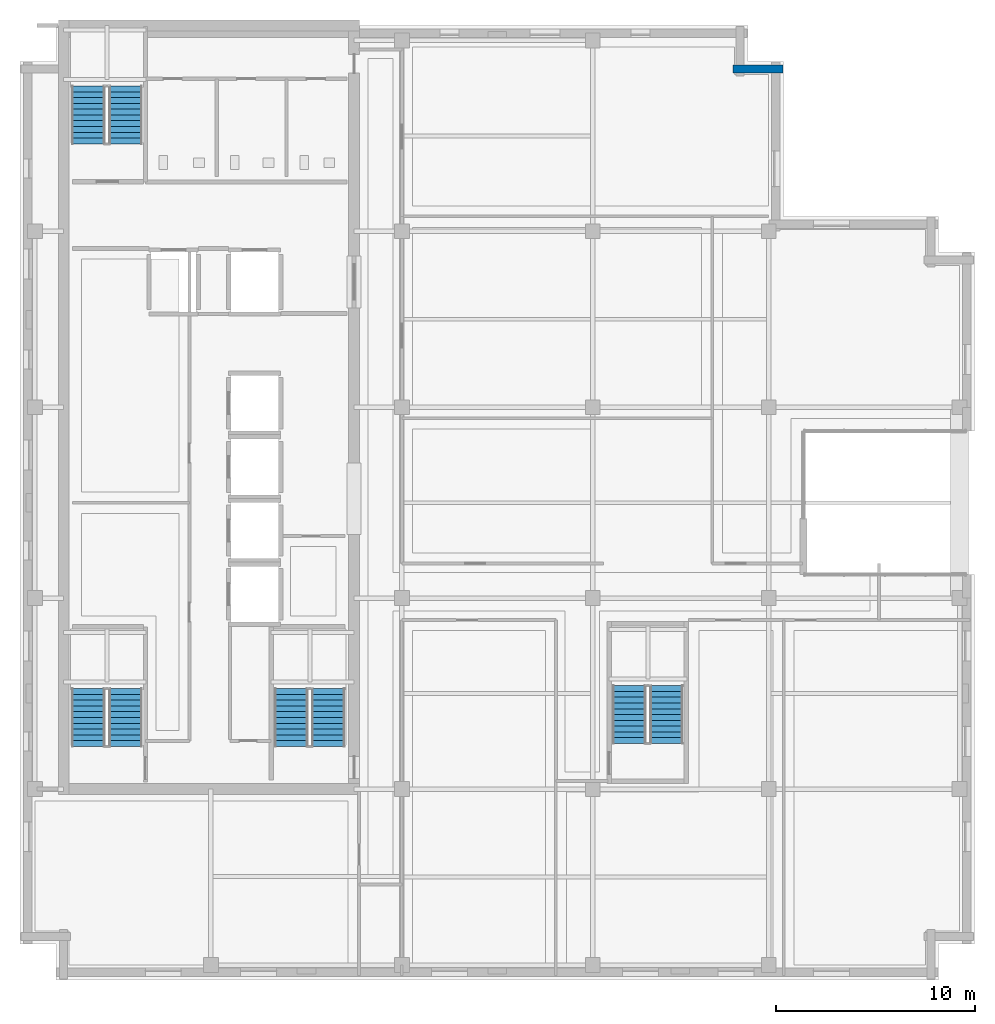
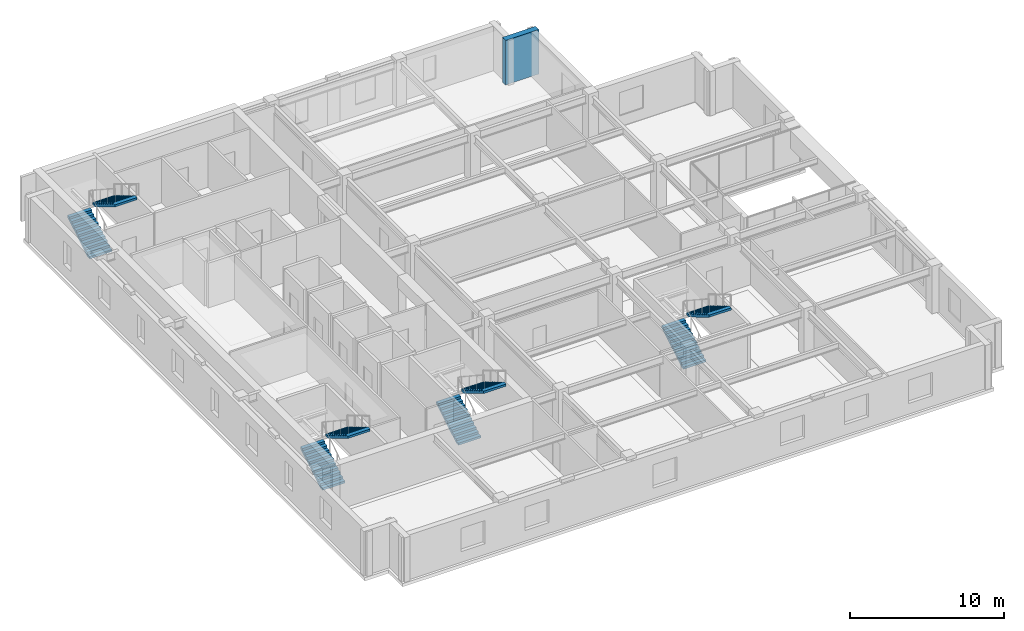
# One storey, part 6 of 11: 8 stair flights, 1 wall, 4 elements without a shape of their own.
"""IFC4 building model written with IfcOpenShell, lengths in metres."""

from ifc_helpers import new_model, si_unit, direction, frame, frame_2d, origin, place, context, subcontext, project, spatial, polyline, rectangle, outline, extrude, material, layer, layer_set, type_object, element, aggregate, save


model = new_model("IFC4")

# Units and contexts
model_context = context("Model", 3, precision=1e-05, world=origin(), true_north=direction((0.0, 1.0)))
body_context = subcontext(model_context, "Body", "Model", "MODEL_VIEW")
ifc_project = project(units=[si_unit("LENGTHUNIT", "METRE"), si_unit("AREAUNIT", "SQUARE_METRE"), si_unit("VOLUMEUNIT", "CUBIC_METRE"), si_unit("PLANEANGLEUNIT", "RADIAN"), si_unit("MASSUNIT", "GRAM", prefix="KILO")], contexts=[model_context])

# Site, building, storey
site_placement = place(None, origin())
site = spatial("IfcSite", under=ifc_project, at=site_placement, CompositionType="ELEMENT")
building_placement = place(site_placement, origin())
building = spatial("IfcBuilding", under=site, at=building_placement, Name="Norrvale University Quadrangle", CompositionType="ELEMENT")
storey_placement = place(building_placement, frame((0.0, 0.0, 281.0)))
storey = spatial("IfcBuildingStorey", under=building, at=storey_placement, Name="L71", CompositionType="ELEMENT", Elevation=281.0)

# Wall
ifc_material_1 = material(Name="Buff Norman Clay Brick Masonry", Category="masonry")
ifc_layer = layer(ifc_material_1, 0.419921875, Name="Buff Norman Clay Brick Masonry")
ifc_layer_set = layer_set([ifc_layer], Name="Buff Norman Clay Brick Masonry")
wall_type = type_object("IfcWallType", Name="Wall Buff Brick 420", PredefinedType="SOLIDWALL", material=ifc_layer_set)
wall_placement = place(storey_placement, frame((38.360107421875, 45.81005859375, 0.0), z_axis=(0.0, 0.0, 1.0), x_axis=(-1.0, 0.0, 0.0)))
element("IfcWall", 1, at=wall_placement, inside=storey, type_object=wall_type, Name="Exterior Brick Facade Wall L71-09.1", PredefinedType="SOLIDWALL", context=body_context, shape_type="SweptSolid", body=[
    extrude(rectangle(XDim=2.5, YDim=0.419921875, at=frame_2d((1.25, 0.0))), origin(), (0.0, 0.0, 1.0), 3.5400390625),
])

# Stair, stair flights
ifc_material_2 = material(Name="Concrete C40/50", Category="concrete")
stair_type = type_object("IfcStairType", Name="Stair Tower Typ 3800", PredefinedType="TWO_STRAIGHT_RUN_STAIR", material=ifc_material_2)
stair_1_placement = place(storey_placement, origin())
stair_1 = element("IfcStair", 2, at=stair_1_placement, inside=storey, type_object=stair_type, Name="Exit Stair ST-01 L71", PredefinedType="TWO_STRAIGHT_RUN_STAIR")
stair_flight_type = type_object("IfcStairFlightType", Name="Flight Typ 1500", PredefinedType="STRAIGHT", material=ifc_material_2)
stair_flight_1_placement = place(storey_placement, frame((3.429931640625, 11.75, 0.0), z_axis=(0.0, 0.0, 1.0), x_axis=(0.0, 1.0, 0.0)))
stair_flight_1 = element("IfcStairFlight", 3, at=stair_flight_1_placement, type_object=stair_flight_type, Name="Exit Stair ST-01 L71 Lower Flight", NumberOfRisers=11, NumberOfTreads=10, PredefinedType="STRAIGHT", RiserHeight=0.172727, TreadLength=0.29, context=body_context, shape_type="SweptSolid", body=[
    extrude(outline(polyline([(0.0, 0.0), (0.0, 0.172607421875), (0.2900390625, 0.172607421875), (0.2900390625, 0.345458984375), (0.580078125, 0.345458984375), (0.580078125, 0.51806640625), (0.8701171875, 0.51806640625), (0.8701171875, 0.69091796875), (1.159912109375, 0.69091796875), (1.159912109375, 0.863525390625), (1.449951171875, 0.863525390625), (1.449951171875, 1.036376953125), (1.739990234375, 1.036376953125), (1.739990234375, 1.208984375), (2.030029296875, 1.208984375), (2.030029296875, 1.3818359375), (2.320068359375, 1.3818359375), (2.320068359375, 1.554443359375), (2.610107421875, 1.554443359375), (2.610107421875, 1.727294921875), (2.89990234375, 1.727294921875), (2.89990234375, 1.89990234375), (2.89990234375, 1.552734375), (0.29296875, 0.0), (0.0, 0.0)])), frame((0.0, 0.83984375, 0.0), z_axis=(0.0, -1.0, 0.0), x_axis=(1.0, 0.0, 0.0)), (0.0, 0.0, 1.0), 1.679931640625),
])
stair_flight_2_placement = place(storey_placement, frame((5.320068359375, 14.64990234375, 1.89990234375), z_axis=(0.0, 0.0, 1.0), x_axis=(0.0, -1.0, 0.0)))
stair_flight_2 = element("IfcStairFlight", 4, at=stair_flight_2_placement, type_object=stair_flight_type, Name="Exit Stair ST-01 L71 Upper Flight", NumberOfRisers=11, NumberOfTreads=10, PredefinedType="STRAIGHT", RiserHeight=0.172727, TreadLength=0.29, context=body_context, shape_type="SweptSolid", body=[
    extrude(outline(polyline([(0.0, 0.0), (0.0, 0.172607421875), (0.2900390625, 0.172607421875), (0.2900390625, 0.345458984375), (0.580078125, 0.345458984375), (0.580078125, 0.51806640625), (0.8701171875, 0.51806640625), (0.8701171875, 0.69091796875), (1.159912109375, 0.69091796875), (1.159912109375, 0.863525390625), (1.449951171875, 0.863525390625), (1.449951171875, 1.036376953125), (1.739990234375, 1.036376953125), (1.739990234375, 1.208984375), (2.030029296875, 1.208984375), (2.030029296875, 1.3818359375), (2.320068359375, 1.3818359375), (2.320068359375, 1.554443359375), (2.610107421875, 1.554443359375), (2.610107421875, 1.727294921875), (2.89990234375, 1.727294921875), (2.89990234375, 1.89990234375), (2.89990234375, 1.552734375), (0.29296875, 0.0), (0.0, 0.0)])), frame((0.0, 0.83984375, 0.0), z_axis=(0.0, -1.0, 0.0), x_axis=(1.0, 0.0, 0.0)), (0.0, 0.0, 1.0), 1.679931640625),
])
aggregate(stair_1, [stair_flight_1, stair_flight_2])

stair_2_placement = place(storey_placement, origin())
stair_2 = element("IfcStair", 5, at=stair_2_placement, inside=storey, type_object=stair_type, Name="Exit Stair ST-02 L71", PredefinedType="TWO_STRAIGHT_RUN_STAIR")
stair_flight_3_placement = place(storey_placement, frame((3.429931640625, 42.050048828125, 0.0), z_axis=(0.0, 0.0, 1.0), x_axis=(0.0, 1.0, 0.0)))
stair_flight_3 = element("IfcStairFlight", 6, at=stair_flight_3_placement, type_object=stair_flight_type, Name="Exit Stair ST-02 L71 Lower Flight", NumberOfRisers=11, NumberOfTreads=10, PredefinedType="STRAIGHT", RiserHeight=0.172727, TreadLength=0.29, context=body_context, shape_type="SweptSolid", body=[
    extrude(outline(polyline([(0.0, 0.0), (0.0, 0.172607421875), (0.2900390625, 0.172607421875), (0.2900390625, 0.345458984375), (0.580078125, 0.345458984375), (0.580078125, 0.51806640625), (0.8701171875, 0.51806640625), (0.8701171875, 0.69091796875), (1.159912109375, 0.69091796875), (1.159912109375, 0.863525390625), (1.449951171875, 0.863525390625), (1.449951171875, 1.036376953125), (1.739990234375, 1.036376953125), (1.739990234375, 1.208984375), (2.030029296875, 1.208984375), (2.030029296875, 1.3818359375), (2.320068359375, 1.3818359375), (2.320068359375, 1.554443359375), (2.610107421875, 1.554443359375), (2.610107421875, 1.727294921875), (2.89990234375, 1.727294921875), (2.89990234375, 1.89990234375), (2.89990234375, 1.552734375), (0.29296875, 0.0), (0.0, 0.0)])), frame((0.0, 0.83984375, 0.0), z_axis=(0.0, -1.0, 0.0), x_axis=(1.0, 0.0, 0.0)), (0.0, 0.0, 1.0), 1.679931640625),
])
stair_flight_4_placement = place(storey_placement, frame((5.320068359375, 44.949951171875, 1.89990234375), z_axis=(0.0, 0.0, 1.0), x_axis=(0.0, -1.0, 0.0)))
stair_flight_4 = element("IfcStairFlight", 7, at=stair_flight_4_placement, type_object=stair_flight_type, Name="Exit Stair ST-02 L71 Upper Flight", NumberOfRisers=11, NumberOfTreads=10, PredefinedType="STRAIGHT", RiserHeight=0.172727, TreadLength=0.29, context=body_context, shape_type="SweptSolid", body=[
    extrude(outline(polyline([(0.0, 0.0), (0.0, 0.172607421875), (0.2900390625, 0.172607421875), (0.2900390625, 0.345458984375), (0.580078125, 0.345458984375), (0.580078125, 0.51806640625), (0.8701171875, 0.51806640625), (0.8701171875, 0.69091796875), (1.159912109375, 0.69091796875), (1.159912109375, 0.863525390625), (1.449951171875, 0.863525390625), (1.449951171875, 1.036376953125), (1.739990234375, 1.036376953125), (1.739990234375, 1.208984375), (2.030029296875, 1.208984375), (2.030029296875, 1.3818359375), (2.320068359375, 1.3818359375), (2.320068359375, 1.554443359375), (2.610107421875, 1.554443359375), (2.610107421875, 1.727294921875), (2.89990234375, 1.727294921875), (2.89990234375, 1.89990234375), (2.89990234375, 1.552734375), (0.29296875, 0.0), (0.0, 0.0)])), frame((0.0, 0.83984375, 0.0), z_axis=(0.0, -1.0, 0.0), x_axis=(1.0, 0.0, 0.0)), (0.0, 0.0, 1.0), 1.679931640625),
])
aggregate(stair_2, [stair_flight_3, stair_flight_4])

stair_3_placement = place(storey_placement, origin())
stair_3 = element("IfcStair", 8, at=stair_3_placement, inside=storey, type_object=stair_type, Name="Exit Stair ST-03 L71", PredefinedType="TWO_STRAIGHT_RUN_STAIR")
stair_flight_5_placement = place(storey_placement, frame((13.6298828125, 11.75, 0.0), z_axis=(0.0, 0.0, 1.0), x_axis=(0.0, 1.0, 0.0)))
stair_flight_5 = element("IfcStairFlight", 9, at=stair_flight_5_placement, type_object=stair_flight_type, Name="Exit Stair ST-03 L71 Lower Flight", NumberOfRisers=11, NumberOfTreads=10, PredefinedType="STRAIGHT", RiserHeight=0.172727, TreadLength=0.29, context=body_context, shape_type="SweptSolid", body=[
    extrude(outline(polyline([(0.0, 0.0), (0.0, 0.172607421875), (0.2900390625, 0.172607421875), (0.2900390625, 0.345458984375), (0.580078125, 0.345458984375), (0.580078125, 0.51806640625), (0.8701171875, 0.51806640625), (0.8701171875, 0.69091796875), (1.159912109375, 0.69091796875), (1.159912109375, 0.863525390625), (1.449951171875, 0.863525390625), (1.449951171875, 1.036376953125), (1.739990234375, 1.036376953125), (1.739990234375, 1.208984375), (2.030029296875, 1.208984375), (2.030029296875, 1.3818359375), (2.320068359375, 1.3818359375), (2.320068359375, 1.554443359375), (2.610107421875, 1.554443359375), (2.610107421875, 1.727294921875), (2.89990234375, 1.727294921875), (2.89990234375, 1.89990234375), (2.89990234375, 1.552734375), (0.29296875, 0.0), (0.0, 0.0)])), frame((0.0, 0.83984375, 0.0), z_axis=(0.0, -1.0, 0.0), x_axis=(1.0, 0.0, 0.0)), (0.0, 0.0, 1.0), 1.679931640625),
])
stair_flight_6_placement = place(storey_placement, frame((15.52001953125, 14.64990234375, 1.89990234375), z_axis=(0.0, 0.0, 1.0), x_axis=(0.0, -1.0, 0.0)))
stair_flight_6 = element("IfcStairFlight", 10, at=stair_flight_6_placement, type_object=stair_flight_type, Name="Exit Stair ST-03 L71 Upper Flight", NumberOfRisers=11, NumberOfTreads=10, PredefinedType="STRAIGHT", RiserHeight=0.172727, TreadLength=0.29, context=body_context, shape_type="SweptSolid", body=[
    extrude(outline(polyline([(0.0, 0.0), (0.0, 0.172607421875), (0.2900390625, 0.172607421875), (0.2900390625, 0.345458984375), (0.580078125, 0.345458984375), (0.580078125, 0.51806640625), (0.8701171875, 0.51806640625), (0.8701171875, 0.69091796875), (1.159912109375, 0.69091796875), (1.159912109375, 0.863525390625), (1.449951171875, 0.863525390625), (1.449951171875, 1.036376953125), (1.739990234375, 1.036376953125), (1.739990234375, 1.208984375), (2.030029296875, 1.208984375), (2.030029296875, 1.3818359375), (2.320068359375, 1.3818359375), (2.320068359375, 1.554443359375), (2.610107421875, 1.554443359375), (2.610107421875, 1.727294921875), (2.89990234375, 1.727294921875), (2.89990234375, 1.89990234375), (2.89990234375, 1.552734375), (0.29296875, 0.0), (0.0, 0.0)])), frame((0.0, 0.83984375, 0.0), z_axis=(0.0, -1.0, 0.0), x_axis=(1.0, 0.0, 0.0)), (0.0, 0.0, 1.0), 1.679931640625),
])
aggregate(stair_3, [stair_flight_5, stair_flight_6])

stair_4_placement = place(storey_placement, origin())
stair_4 = element("IfcStair", 11, at=stair_4_placement, inside=storey, type_object=stair_type, Name="Exit Stair ST-04 L71", PredefinedType="TWO_STRAIGHT_RUN_STAIR")
stair_flight_7_placement = place(storey_placement, frame((30.6298828125, 11.89990234375, 0.0), z_axis=(0.0, 0.0, 1.0), x_axis=(0.0, 1.0, 0.0)))
stair_flight_7 = element("IfcStairFlight", 12, at=stair_flight_7_placement, type_object=stair_flight_type, Name="Exit Stair ST-04 L71 Lower Flight", NumberOfRisers=11, NumberOfTreads=10, PredefinedType="STRAIGHT", RiserHeight=0.172727, TreadLength=0.29, context=body_context, shape_type="SweptSolid", body=[
    extrude(outline(polyline([(0.0, 0.0), (0.0, 0.172607421875), (0.2900390625, 0.172607421875), (0.2900390625, 0.345458984375), (0.580078125, 0.345458984375), (0.580078125, 0.51806640625), (0.8701171875, 0.51806640625), (0.8701171875, 0.69091796875), (1.159912109375, 0.69091796875), (1.159912109375, 0.863525390625), (1.449951171875, 0.863525390625), (1.449951171875, 1.036376953125), (1.739990234375, 1.036376953125), (1.739990234375, 1.208984375), (2.030029296875, 1.208984375), (2.030029296875, 1.3818359375), (2.320068359375, 1.3818359375), (2.320068359375, 1.554443359375), (2.610107421875, 1.554443359375), (2.610107421875, 1.727294921875), (2.89990234375, 1.727294921875), (2.89990234375, 1.89990234375), (2.89990234375, 1.552734375), (0.29296875, 0.0), (0.0, 0.0)])), frame((0.0, 0.83984375, 0.0), z_axis=(0.0, -1.0, 0.0), x_axis=(1.0, 0.0, 0.0)), (0.0, 0.0, 1.0), 1.679931640625),
])
stair_flight_8_placement = place(storey_placement, frame((32.52001953125, 14.800048828125, 1.89990234375), z_axis=(0.0, 0.0, 1.0), x_axis=(0.0, -1.0, 0.0)))
stair_flight_8 = element("IfcStairFlight", 13, at=stair_flight_8_placement, type_object=stair_flight_type, Name="Exit Stair ST-04 L71 Upper Flight", NumberOfRisers=11, NumberOfTreads=10, PredefinedType="STRAIGHT", RiserHeight=0.172727, TreadLength=0.29, context=body_context, shape_type="SweptSolid", body=[
    extrude(outline(polyline([(0.0, 0.0), (0.0, 0.172607421875), (0.2900390625, 0.172607421875), (0.2900390625, 0.345458984375), (0.580078125, 0.345458984375), (0.580078125, 0.51806640625), (0.8701171875, 0.51806640625), (0.8701171875, 0.69091796875), (1.159912109375, 0.69091796875), (1.159912109375, 0.863525390625), (1.449951171875, 0.863525390625), (1.449951171875, 1.036376953125), (1.739990234375, 1.036376953125), (1.739990234375, 1.208984375), (2.030029296875, 1.208984375), (2.030029296875, 1.3818359375), (2.320068359375, 1.3818359375), (2.320068359375, 1.554443359375), (2.610107421875, 1.554443359375), (2.610107421875, 1.727294921875), (2.89990234375, 1.727294921875), (2.89990234375, 1.89990234375), (2.89990234375, 1.552734375), (0.29296875, 0.0), (0.0, 0.0)])), frame((0.0, 0.83984375, 0.0), z_axis=(0.0, -1.0, 0.0), x_axis=(1.0, 0.0, 0.0)), (0.0, 0.0, 1.0), 1.679931640625),
])
aggregate(stair_4, [stair_flight_7, stair_flight_8])

save(model, "model.ifc")
